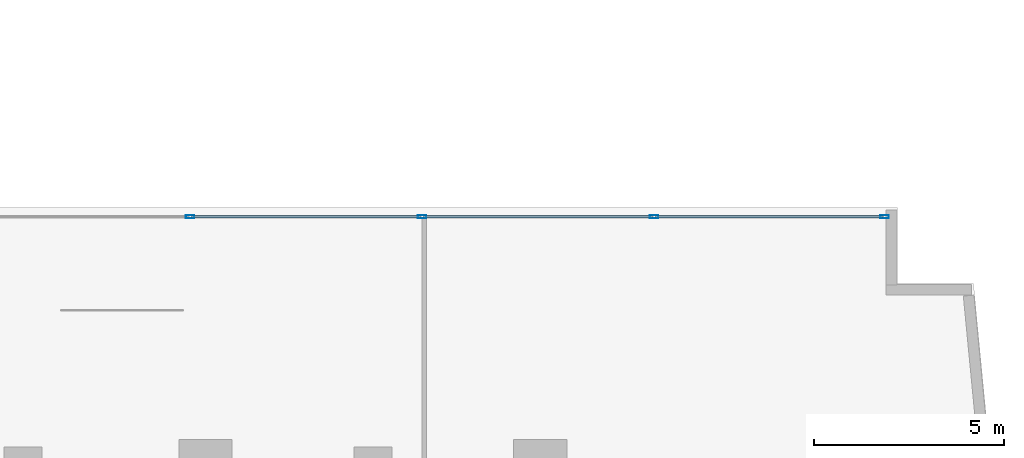
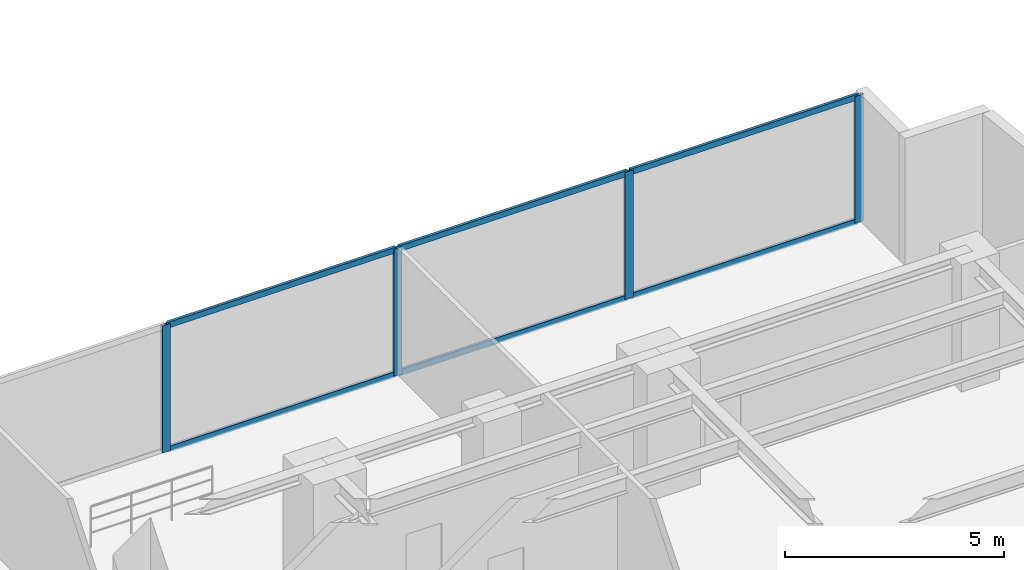
# One storey, part 13 of 26: 10 members, 1 element without a shape of its own.
"""IFC4 building model written with IfcOpenShell, lengths in metres."""

from ifc_helpers import new_model, si_unit, direction, frame, origin, origin_with_axes, origin_2d, place, context, subcontext, project, spatial, hollow_rectangle, extrude, source, transform, mapped, material, layer, layer_set, material_profile, profile_set, type_object, element, aggregate, save


model = new_model("IFC4")

# Units and contexts
model_context = context("Model", 3, precision=1e-05, world=origin(), true_north=direction((0.0, 1.0)))
body_context = subcontext(model_context, "Body", "Model", "MODEL_VIEW")
ifc_project = project(units=[si_unit("LENGTHUNIT", "METRE"), si_unit("AREAUNIT", "SQUARE_METRE"), si_unit("VOLUMEUNIT", "CUBIC_METRE"), si_unit("PLANEANGLEUNIT", "RADIAN"), si_unit("MASSUNIT", "GRAM", prefix="KILO")], contexts=[model_context])

# Site, building, storey
site_placement = place(None, origin())
site = spatial("IfcSite", under=ifc_project, at=site_placement, CompositionType="ELEMENT")
building_placement = place(site_placement, origin())
building = spatial("IfcBuilding", under=site, at=building_placement, Name="Kolvaren Waterfront Exchange", CompositionType="ELEMENT")
storey_placement = place(building_placement, frame((0.0, 0.0, 110.699951171875)))
storey = spatial("IfcBuildingStorey", under=building, at=storey_placement, Name="L28", CompositionType="ELEMENT", Elevation=110.699951171875)

# Curtain wall, members
ifc_material_1 = material(Name="Anodised bronze aluminium 6063-T6", Category="aluminium")
ifc_layer = layer(ifc_material_1, 0.219970703125, Name="Anodised bronze aluminium 6063-T6")
ifc_layer_set = layer_set([ifc_layer], Name="Anodised bronze aluminium 6063-T6")
curtain_wall_type = type_object("IfcCurtainWallType", Name="ARC-CW-SYS4", PredefinedType="USERDEFINED", material=ifc_layer_set)
curtain_wall_placement = place(storey_placement, origin())
curtain_wall = element("IfcCurtainWall", 1, at=curtain_wall_placement, inside=storey, type_object=curtain_wall_type, Name="L28 stick curtain wall CW4 (CW-L28-EN)", ObjectType="STICK CURTAIN WALL", PredefinedType="USERDEFINED")
ifc_material_2 = material(Name="Anodised aluminium 6063-T6", Category="aluminium")
ifc_material_profile_1 = material_profile(ifc_material_2, hollow_rectangle(XDim=0.080078125, YDim=0.219970703125, WallThickness=0.0048828125, at=origin_2d()), Name="ALU-MUL-220x80x5")
ifc_profile_set_1 = profile_set([ifc_material_profile_1], Name="Anodised aluminium 6063-T6")
member_type_1 = type_object("IfcMemberType", Name="ARC-CWM-220", PredefinedType="MULLION", material=ifc_profile_set_1)
shared_shape_1 = source(origin_with_axes(), body_context, "Body", "SweptSolid", [
    extrude(hollow_rectangle(XDim=0.080078125, YDim=0.219970703125, WallThickness=0.0048828125, at=origin_2d()), origin(), (0.0, 0.0, 1.0), 3.5400390625),
])
member_1_placement = place(storey_placement, frame((36.392578125, 23.9599609375, 0.0), z_axis=(0.0, 0.0, 1.0), x_axis=(0.0, 1.0, 0.0)))
member_1 = element("IfcMember", 2, at=member_1_placement, type_object=member_type_1, Name="CW4 mullion 2", PredefinedType="MULLION", context=body_context, shape_type="MappedRepresentation", body=[
    mapped(shared_shape_1, transform((0.0, 0.0, 0.0), x_axis=(1.0, 0.0, 0.0), y_axis=(0.0, 1.0, 0.0), z_axis=(0.0, 0.0, 1.0), scale=1.0)),
])
member_2_placement = place(storey_placement, frame((42.4951171875, 23.9599609375, 0.0), z_axis=(0.0, 0.0, 1.0), x_axis=(0.0, 1.0, 0.0)))
member_2 = element("IfcMember", 3, at=member_2_placement, type_object=member_type_1, Name="CW4 mullion 3", PredefinedType="MULLION", context=body_context, shape_type="MappedRepresentation", body=[
    mapped(shared_shape_1, transform((0.0, 0.0, 0.0), x_axis=(1.0, 0.0, 0.0), y_axis=(0.0, 1.0, 0.0), z_axis=(0.0, 0.0, 1.0), scale=1.0)),
])
member_3_placement = place(storey_placement, frame((48.597412109375, 23.9599609375, 0.0), z_axis=(0.0, 0.0, 1.0), x_axis=(0.0, 1.0, 0.0)))
member_3 = element("IfcMember", 4, at=member_3_placement, type_object=member_type_1, Name="CW4 mullion 4", PredefinedType="MULLION", context=body_context, shape_type="MappedRepresentation", body=[
    mapped(shared_shape_1, transform((0.0, 0.0, 0.0), x_axis=(1.0, 0.0, 0.0), y_axis=(0.0, 1.0, 0.0), z_axis=(0.0, 0.0, 1.0), scale=1.0)),
])
member_4_placement = place(storey_placement, frame((54.659912109375, 23.9599609375, 0.0), z_axis=(0.0, 0.0, 1.0), x_axis=(0.0, 1.0, 0.0)))
member_4 = element("IfcMember", 5, at=member_4_placement, type_object=member_type_1, Name="CW4 mullion 5", PredefinedType="MULLION", context=body_context, shape_type="MappedRepresentation", body=[
    mapped(shared_shape_1, transform((0.0, 0.0, 0.0), x_axis=(1.0, 0.0, 0.0), y_axis=(0.0, 1.0, 0.0), z_axis=(0.0, 0.0, 1.0), scale=1.0)),
])
ifc_material_profile_2 = material_profile(ifc_material_2, hollow_rectangle(XDim=0.074951171875, YDim=0.159912109375, WallThickness=0.00439453125, at=origin_2d()), Name="ALU-TRN-160x75x4.5")
ifc_profile_set_2 = profile_set([ifc_material_profile_2], Name="Anodised aluminium 6063-T6")
member_type_2 = type_object("IfcMemberType", Name="ARC-CWT-160", PredefinedType="USERDEFINED", material=ifc_profile_set_2)
shared_shape_2 = source(origin_with_axes(), body_context, "Body", "SweptSolid", [
    extrude(hollow_rectangle(XDim=0.074951171875, YDim=0.159912109375, WallThickness=0.00439453125, at=origin_2d()), origin(), (0.0, 0.0, 1.0), 6.0224609375),
])
member_5_placement = place(storey_placement, frame((36.4326171875, 23.9599609375, 0.03759765625), z_axis=(1.0, 0.0, 0.0), x_axis=(0.0, 1.0, 0.0)))
member_5 = element("IfcMember", 6, at=member_5_placement, type_object=member_type_2, Name="CW4 transom 2.1", ObjectType="TRANSOM", PredefinedType="USERDEFINED", context=body_context, shape_type="MappedRepresentation", body=[
    mapped(shared_shape_2, transform((0.0, 0.0, 0.0), x_axis=(1.0, 0.0, 0.0), y_axis=(0.0, 1.0, 0.0), z_axis=(0.0, 0.0, 1.0), scale=1.0)),
])
member_6_placement = place(storey_placement, frame((36.4326171875, 23.9599609375, 3.50244140625), z_axis=(1.0, 0.0, 0.0), x_axis=(0.0, 1.0, 0.0)))
member_6 = element("IfcMember", 7, at=member_6_placement, type_object=member_type_2, Name="CW4 transom 2.2", ObjectType="TRANSOM", PredefinedType="USERDEFINED", context=body_context, shape_type="MappedRepresentation", body=[
    mapped(shared_shape_2, transform((0.0, 0.0, 0.0), x_axis=(1.0, 0.0, 0.0), y_axis=(0.0, 1.0, 0.0), z_axis=(0.0, 0.0, 1.0), scale=1.0)),
])
shared_shape_3 = source(origin_with_axes(), body_context, "Body", "SweptSolid", [
    extrude(hollow_rectangle(XDim=0.074951171875, YDim=0.159912109375, WallThickness=0.00439453125, at=origin_2d()), origin(), (0.0, 0.0, 1.0), 6.022705078125),
])
member_7_placement = place(storey_placement, frame((42.534912109375, 23.9599609375, 0.03759765625), z_axis=(1.0, 0.0, 0.0), x_axis=(0.0, 1.0, 0.0)))
member_7 = element("IfcMember", 8, at=member_7_placement, type_object=member_type_2, Name="CW4 transom 3.1", ObjectType="TRANSOM", PredefinedType="USERDEFINED", context=body_context, shape_type="MappedRepresentation", body=[
    mapped(shared_shape_3, transform((0.0, 0.0, 0.0), x_axis=(1.0, 0.0, 0.0), y_axis=(0.0, 1.0, 0.0), z_axis=(0.0, 0.0, 1.0), scale=1.0)),
])
member_8_placement = place(storey_placement, frame((42.534912109375, 23.9599609375, 3.50244140625), z_axis=(1.0, 0.0, 0.0), x_axis=(0.0, 1.0, 0.0)))
member_8 = element("IfcMember", 9, at=member_8_placement, type_object=member_type_2, Name="CW4 transom 3.2", ObjectType="TRANSOM", PredefinedType="USERDEFINED", context=body_context, shape_type="MappedRepresentation", body=[
    mapped(shared_shape_3, transform((0.0, 0.0, 0.0), x_axis=(1.0, 0.0, 0.0), y_axis=(0.0, 1.0, 0.0), z_axis=(0.0, 0.0, 1.0), scale=1.0)),
])
shared_shape_4 = source(origin_with_axes(), body_context, "Body", "SweptSolid", [
    extrude(hollow_rectangle(XDim=0.074951171875, YDim=0.159912109375, WallThickness=0.00439453125, at=origin_2d()), origin(), (0.0, 0.0, 1.0), 5.982666015625),
])
member_9_placement = place(storey_placement, frame((48.637451171875, 23.9599609375, 0.03759765625), z_axis=(1.0, 0.0, 0.0), x_axis=(0.0, 1.0, 0.0)))
member_9 = element("IfcMember", 10, at=member_9_placement, type_object=member_type_2, Name="CW4 transom 4.1", ObjectType="TRANSOM", PredefinedType="USERDEFINED", context=body_context, shape_type="MappedRepresentation", body=[
    mapped(shared_shape_4, transform((0.0, 0.0, 0.0), x_axis=(1.0, 0.0, 0.0), y_axis=(0.0, 1.0, 0.0), z_axis=(0.0, 0.0, 1.0), scale=1.0)),
])
member_10_placement = place(storey_placement, frame((48.637451171875, 23.9599609375, 3.50244140625), z_axis=(1.0, 0.0, 0.0), x_axis=(0.0, 1.0, 0.0)))
member_10 = element("IfcMember", 11, at=member_10_placement, type_object=member_type_2, Name="CW4 transom 4.2", ObjectType="TRANSOM", PredefinedType="USERDEFINED", context=body_context, shape_type="MappedRepresentation", body=[
    mapped(shared_shape_4, transform((0.0, 0.0, 0.0), x_axis=(1.0, 0.0, 0.0), y_axis=(0.0, 1.0, 0.0), z_axis=(0.0, 0.0, 1.0), scale=1.0)),
])
aggregate(curtain_wall, [member_1, member_2, member_3, member_4, member_5, member_6, member_7, member_8, member_9, member_10])

save(model, "model.ifc")
